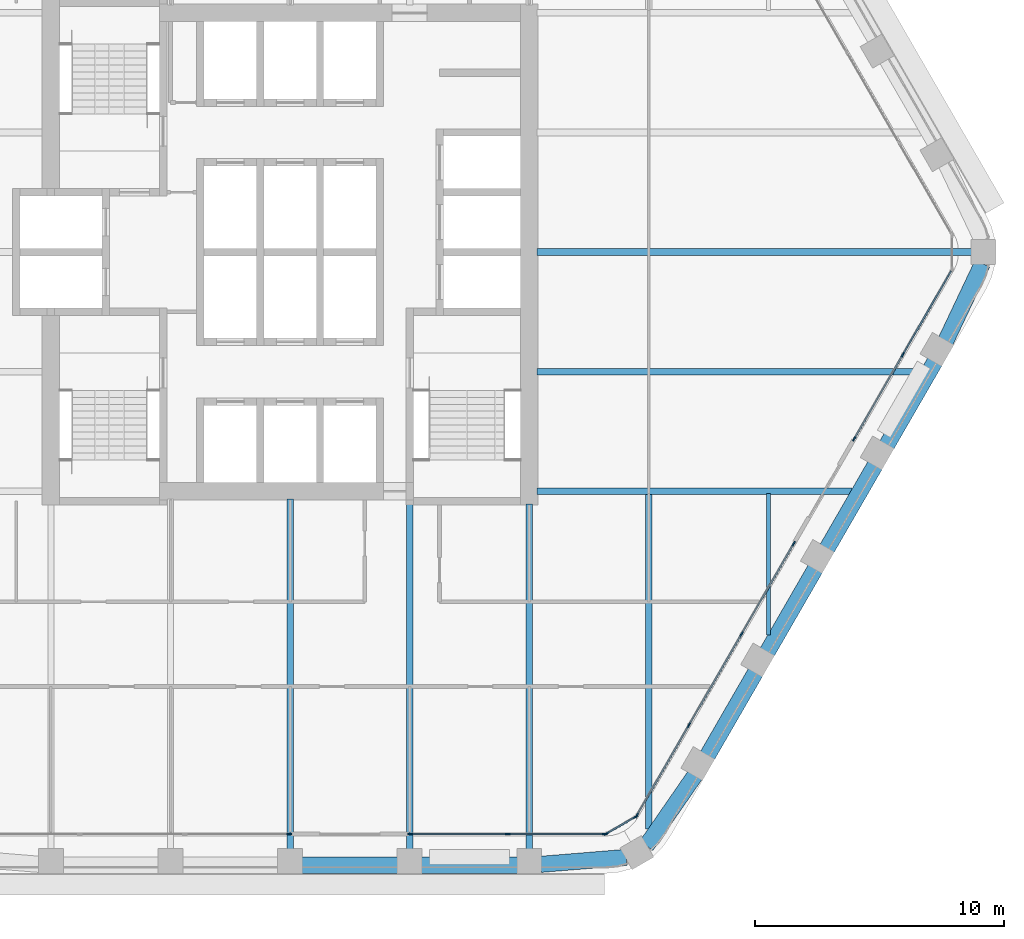
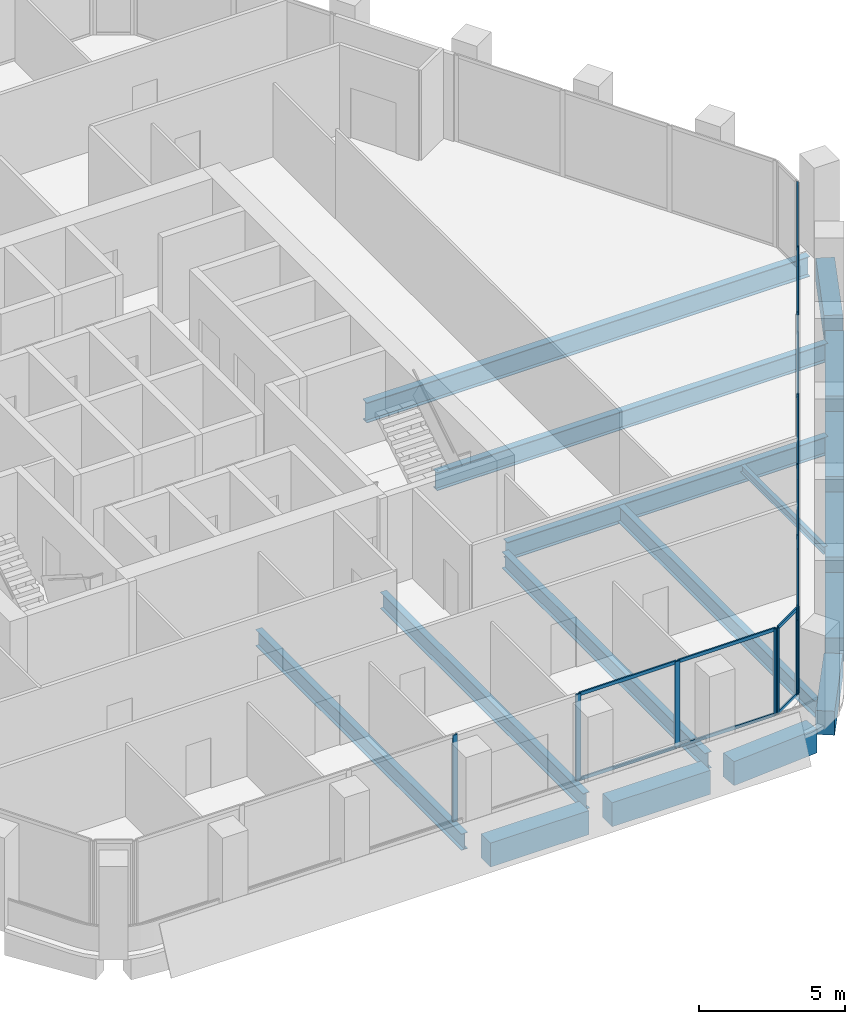
# One storey, part 4 of 16: 28 members, 17 beams, 5 elements without a shape of their own.
"""IFC4 building model written with IfcOpenShell, lengths in metres."""

import ifcopenshell
import ifcopenshell.guid

model = None  # the IFC model being written
_history = None  # IfcOwnerHistory: only IFC2X3 demands one
_inside = {}  # id of a spatial element -> (the spatial element, [elements in it])
_under = {}  # id of a project, library or spatial element -> (it, [spatial elements below it])
_declared = {}  # id of a project -> (the project, [libraries it declares])
_typed = {}  # id of a type object -> (the type object, [elements of that type])
_made_of = {}  # id of a material, layer set ... -> (it, [elements and type objects made of it])


def new_model(schema):
    """Start an empty IFC model of exactly this schema.

    Asked for "IFC4X3", IfcOpenShell would pick the latest addendum, in which some entities
    have other attributes; the version numbers below select the first issue.
    IFC2X3 requires an IfcOwnerHistory on every rooted entity: one is made here for all.
    """
    global model, _history
    if schema == "IFC4X3":
        model = ifcopenshell.file(schema_version=(4, 3, 0, 0))
    else:
        model = ifcopenshell.file(schema=schema)
    _inside.clear()
    _under.clear()
    _declared.clear()
    _typed.clear()
    _made_of.clear()
    _history = None
    if model.schema == "IFC2X3":
        org = make("IfcOrganization", Name="unknown")
        user = make(
            "IfcPersonAndOrganization",
            ThePerson=make("IfcPerson", FamilyName="unknown"),
            TheOrganization=org,
        )
        app = make(
            "IfcApplication",
            ApplicationDeveloper=org,
            Version="unknown",
            ApplicationFullName="unknown",
            ApplicationIdentifier="unknown",
        )
        _history = make(
            "IfcOwnerHistory",
            OwningUser=user,
            OwningApplication=app,
            ChangeAction="ADDED",
            CreationDate=0,
        )
    return model


def make(cls, **values):
    """One entity of the class cls with the attributes given. An attribute that is None is left unset."""
    return model.create_entity(
        cls, **{name: value for name, value in values.items() if value is not None}
    )


def rooted(cls, **values):
    """An entity with a GlobalId (a new one), such as an element, a storey or a relation."""
    return make(cls, GlobalId=ifcopenshell.guid.new(), OwnerHistory=_history, **values)


def si_unit(unit_type, name, prefix=None):
    """IfcSIUnit, for example si_unit("LENGTHUNIT", "METRE", prefix="MILLI")."""
    return make("IfcSIUnit", UnitType=unit_type, Prefix=prefix, Name=name)


def assignment(units):
    """IfcUnitAssignment: the units of a project."""
    return None if units is None else make("IfcUnitAssignment", Units=units)


def point(xyz):
    """IfcCartesianPoint."""
    return None if xyz is None else make("IfcCartesianPoint", Coordinates=xyz)


def direction(xyz):
    """IfcDirection."""
    return None if xyz is None else make("IfcDirection", DirectionRatios=xyz)


def frame(location, z_axis=None, x_axis=None):
    """IfcAxis2Placement3D, a coordinate frame: its origin and axes. An axis left out is left unset."""
    return make(
        "IfcAxis2Placement3D",
        Location=point(location),
        Axis=direction(z_axis),
        RefDirection=direction(x_axis),
    )


def frame_2d(location, x_axis=None):
    """IfcAxis2Placement2D, a coordinate frame in the plane: its origin and x axis."""
    return make(
        "IfcAxis2Placement2D", Location=point(location), RefDirection=direction(x_axis)
    )


def origin():
    """The frame at (0, 0, 0) with its axes left unset."""
    return frame((0.0, 0.0, 0.0))


def origin_2d():
    """The frame at (0, 0) in the plane with its x axis left unset."""
    return frame_2d((0.0, 0.0))


def place(relative_to, where):
    """IfcLocalPlacement: puts the frame where relative to a parent placement (None: the world)."""
    return make(
        "IfcLocalPlacement", PlacementRelTo=relative_to, RelativePlacement=where
    )


def context(
    kind, dimensions, precision=None, world=None, true_north=None, identifier=None
):
    """IfcGeometricRepresentationContext, for example the 3D "Model" context."""
    return make(
        "IfcGeometricRepresentationContext",
        ContextIdentifier=identifier,
        ContextType=kind,
        CoordinateSpaceDimension=dimensions,
        Precision=precision,
        WorldCoordinateSystem=world,
        TrueNorth=true_north,
    )


def subcontext(parent, identifier, kind, view, scale=None):
    """IfcGeometricRepresentationSubContext, for example "Body" below "Model"."""
    return make(
        "IfcGeometricRepresentationSubContext",
        ContextIdentifier=identifier,
        ContextType=kind,
        ParentContext=parent,
        TargetScale=scale,
        TargetView=view,
    )


def project(units=None, contexts=None):
    """IfcProject with its units and contexts."""
    return rooted(
        "IfcProject",
        Name="project",
        RepresentationContexts=contexts,
        UnitsInContext=assignment(units),
    )


def spatial(cls, under=None, at=None, **own):
    """A site, building, storey or space (cls), placed at a placement, below another one or the project."""
    s = rooted(cls, ObjectPlacement=at, **own)
    if under is not None:
        _under.setdefault(under.id(), (under, []))[1].append(s)
    return s


def profile(cls, at=None, kind="AREA", **sizes):
    """A parametric profile (cls). Its sizes go by their IFC names, for example OverallWidth=200.0."""
    return make(cls, ProfileType=kind, Position=at, **sizes)


def rectangle(**sizes):
    """IfcRectangleProfileDef."""
    return profile("IfcRectangleProfileDef", **sizes)


def i_section(**sizes):
    """IfcIShapeProfileDef."""
    return profile("IfcIShapeProfileDef", **sizes)


def extrude(swept, where, along, depth):
    """IfcExtrudedAreaSolid: the profile swept, set in the frame where, extruded along a direction by depth."""
    return make(
        "IfcExtrudedAreaSolid",
        SweptArea=swept,
        Position=where,
        ExtrudedDirection=direction(along),
        Depth=depth,
    )


def shape(context_of_items, identifier, shape_type, items):
    """IfcShapeRepresentation: the items that make up one representation, for example the "Body"."""
    return make(
        "IfcShapeRepresentation",
        ContextOfItems=context_of_items,
        RepresentationIdentifier=identifier,
        RepresentationType=shape_type,
        Items=items,
    )


def material(Name=None, Category=None):
    """IfcMaterial."""
    return make("IfcMaterial", Name=Name, Category=Category)


def material_profile(
    of_material, cross_section, Name=None, Category=None, Priority=None
):
    """IfcMaterialProfile: a cross section and its material."""
    return make(
        "IfcMaterialProfile",
        Name=Name,
        Material=of_material,
        Profile=cross_section,
        Priority=Priority,
        Category=Category,
    )


def profile_set(profiles, Name=None, composite=None):
    """IfcMaterialProfileSet."""
    return make(
        "IfcMaterialProfileSet",
        Name=Name,
        MaterialProfiles=profiles,
        CompositeProfile=composite,
    )


def made_of(thing, what):
    """Note that an element or type object is made of a material, layer set ...; save() writes the relation."""
    if what is not None:
        _made_of.setdefault(what.id(), (what, []))[1].append(thing)
    return thing


def type_object(cls, material=None, **own):
    """A type object (cls), such as IfcWallType, which elements share."""
    return made_of(rooted(cls, **own), material)


def element(
    cls,
    number,
    at=None,
    inside=None,
    cuts=None,
    type_object=None,
    material=None,
    context=None,
    identifier="Body",
    shape_type=None,
    held_by="IfcProductDefinitionShape",
    body=None,
    shapes=None,
    **own,
):
    """One element of the class cls, such as IfcWall. Its Tag is "e" and its number.

    at: its placement. inside: the storey or other place that contains it. cuts: it is an
    opening in that element (IfcRelVoidsElement). A single representation is given by context,
    identifier, shape_type and body (its items); several are given by shapes. held_by: the class
    of the entity that holds the representations. save() writes the other relations.
    """
    e = rooted(cls, Tag="e%d" % number, ObjectPlacement=at, **own)
    if body is not None:
        shapes = [shape(context, identifier, shape_type, body)]
    if shapes is not None:
        e.Representation = make(held_by, Representations=shapes)
    if inside is not None:
        _inside.setdefault(inside.id(), (inside, []))[1].append(e)
    if cuts is not None:
        rooted(
            "IfcRelVoidsElement", RelatingBuildingElement=cuts, RelatedOpeningElement=e
        )
    if type_object is not None:
        _typed.setdefault(type_object.id(), (type_object, []))[1].append(e)
    return made_of(e, material)


def aggregate(whole, parts):
    """IfcRelAggregates: a whole, such as a stair, and the parts it consists of."""
    return rooted("IfcRelAggregates", RelatingObject=whole, RelatedObjects=parts)


def save(model, path):
    """Write the relations noted so far, then the file.

    IfcRelAggregates (storeys below a building ...), IfcRelContainedInSpatialStructure (elements
    in a storey), IfcRelDefinesByType, IfcRelAssociatesMaterial and IfcRelDeclares: one each for
    every whole, place, type object, material and project.
    """
    for whole, parts in _under.values():
        aggregate(whole, parts)
    for where, things in _inside.values():
        rooted(
            "IfcRelContainedInSpatialStructure",
            RelatedElements=things,
            RelatingStructure=where,
        )
    for kind, things in _typed.values():
        rooted("IfcRelDefinesByType", RelatedObjects=things, RelatingType=kind)
    for what, things in _made_of.values():
        rooted("IfcRelAssociatesMaterial", RelatedObjects=things, RelatingMaterial=what)
    for by, libraries in _declared.values():
        rooted("IfcRelDeclares", RelatingContext=by, RelatedDefinitions=libraries)
    model.write(path)


model = new_model("IFC4")

# Units and contexts
model_context = context("Model", 3, precision=1e-05, world=origin(), true_north=direction((0.0, 1.0)))
body_context = subcontext(model_context, "Body", "Model", "MODEL_VIEW")
ifc_project = project(units=[si_unit("LENGTHUNIT", "METRE"), si_unit("AREAUNIT", "SQUARE_METRE"), si_unit("VOLUMEUNIT", "CUBIC_METRE"), si_unit("PLANEANGLEUNIT", "RADIAN"), si_unit("MASSUNIT", "GRAM", prefix="KILO")], contexts=[model_context])

# Site, building, storey
site_placement = place(None, origin())
site = spatial("IfcSite", under=ifc_project, at=site_placement, CompositionType="ELEMENT")
building_placement = place(site_placement, origin())
building = spatial("IfcBuilding", under=site, at=building_placement, Name="Kolab Exchange Tower", CompositionType="ELEMENT")
storey_placement = place(building_placement, frame((0.0, 0.0, 146.60009765625)))
storey = spatial("IfcBuildingStorey", under=building, at=storey_placement, Name="L29", CompositionType="ELEMENT", Elevation=146.60009765625)

# Beams
ifc_material_1 = material(Name="Steel S355", Category="steel")
ifc_material_profile_1 = material_profile(ifc_material_1, i_section(OverallWidth=0.1650390625, OverallDepth=0.31005859375, WebThickness=0.005859375, FlangeThickness=0.009765625, at=origin_2d()), Name="W310X39")
ifc_profile_set_1 = profile_set([ifc_material_profile_1], Name="Steel S355")
beam_type_1 = type_object("IfcBeamType", Name="FLOOR BEAM W310X39", PredefinedType="BEAM", material=ifc_profile_set_1)
beam_1_placement = place(storey_placement, frame((19.199951171875, -15.36767578125, -0.30517578125), z_axis=(0.0, 1.0, 0.0), x_axis=(-1.0, 0.0, 0.0)))
element("IfcBeam", 1, at=beam_1_placement, inside=storey, type_object=beam_type_1, Name="beam/L29/fr/022", PredefinedType="BEAM", context=body_context, shape_type="SweptSolid", body=[
    extrude(i_section(OverallWidth=0.1650390625, OverallDepth=0.31005859375, WebThickness=0.005859375, FlangeThickness=0.009765625, at=origin_2d()), origin(), (0.0, 0.0, 1.0), 5.674072265625),
])
ifc_material_profile_2 = material_profile(ifc_material_1, i_section(OverallWidth=0.25390625, OverallDepth=0.68408203125, WebThickness=0.012451171875, FlangeThickness=0.018798828125, at=origin_2d()), Name="W690X140")
ifc_profile_set_2 = profile_set([ifc_material_profile_2], Name="Steel S355")
beam_type_2 = type_object("IfcBeamType", Name="FLOOR BEAM W690X140", PredefinedType="BEAM", material=ifc_profile_set_2)
beam_2_placement = place(storey_placement, frame((0.0, -23.9814453125, -0.4921875), z_axis=(0.0, 1.0, 0.0), x_axis=(-1.0, 0.0, 0.0)))
element("IfcBeam", 2, at=beam_2_placement, inside=storey, type_object=beam_type_2, Name="beam/L29/fr/011", PredefinedType="BEAM", context=body_context, shape_type="SweptSolid", body=[
    extrude(i_section(OverallWidth=0.25390625, OverallDepth=0.68408203125, WebThickness=0.012451171875, FlangeThickness=0.018798828125, at=origin_2d()), origin(), (0.0, 0.0, 1.0), 14.071533203125),
])
for number, where, z_axis, x_axis, name in (
    (3, (4.800048828125, -23.9814453125, -0.4921875), (0.0, 1.0, 0.0), (-1.0, 0.0, 0.0), "beam/L29/fr/013"),
    (4, (9.60009765625, -23.9814453125, -0.4921875), (0.0, 1.0, 0.0), (-1.0, 0.0, 0.0), "beam/L29/fr/015"),
):
    element("IfcBeam", number, at=place(storey_placement, frame(where, z_axis=z_axis, x_axis=x_axis)), inside=storey, type_object=beam_type_2, Name=name, PredefinedType="BEAM", context=body_context, shape_type="SweptSolid", body=[
        extrude(i_section(OverallWidth=0.25390625, OverallDepth=0.68408203125, WebThickness=0.012451171875, FlangeThickness=0.018798828125, at=origin_2d()), origin(), (0.0, 0.0, 1.0), 13.871337890625),
    ])
beam_3_placement = place(storey_placement, frame((14.39990234375, -23.15576171875, -0.4921875), z_axis=(0.0, 1.0, 0.0), x_axis=(-1.0, 0.0, 0.0)))
element("IfcBeam", 5, at=beam_3_placement, inside=storey, type_object=beam_type_2, Name="beam/L29/fr/020", PredefinedType="BEAM", context=body_context, shape_type="SweptSolid", body=[
    extrude(i_section(OverallWidth=0.25390625, OverallDepth=0.68408203125, WebThickness=0.012451171875, FlangeThickness=0.018798828125, at=origin_2d()), origin(), (0.0, 0.0, 1.0), 13.462158203125),
])
ifc_material_profile_3 = material_profile(ifc_material_1, i_section(OverallWidth=0.26708984375, OverallDepth=0.761962890625, WebThickness=0.014404296875, FlangeThickness=0.021484375, at=origin_2d()), Name="W760X173")
ifc_profile_set_3 = profile_set([ifc_material_profile_3], Name="Steel S355")
beam_type_3 = type_object("IfcBeamType", Name="FLOOR BEAM W760X173", PredefinedType="BEAM", material=ifc_profile_set_3)
beam_4_placement = place(storey_placement, frame((9.909912109375, -4.800048828125, -0.531005859375), z_axis=(1.0, 0.0, 0.0), x_axis=(0.0, 1.0, 0.0)))
element("IfcBeam", 6, at=beam_4_placement, inside=storey, type_object=beam_type_3, Name="beam/L29/fr/017", PredefinedType="BEAM", context=body_context, shape_type="SweptSolid", body=[
    extrude(i_section(OverallWidth=0.26708984375, OverallDepth=0.761962890625, WebThickness=0.014404296875, FlangeThickness=0.021484375, at=origin_2d()), origin(), (0.0, 0.0, 1.0), 15.408203125),
])
ifc_material_profile_4 = material_profile(ifc_material_1, i_section(OverallWidth=0.2919921875, OverallDepth=0.840087890625, WebThickness=0.0146484375, FlangeThickness=0.021728515625, at=origin_2d()), Name="W840X193")
ifc_profile_set_4 = profile_set([ifc_material_profile_4], Name="Steel S355")
beam_type_4 = type_object("IfcBeamType", Name="FLOOR BEAM W840X193", PredefinedType="BEAM", material=ifc_profile_set_4)
beam_5_placement = place(storey_placement, frame((9.909912109375, 0.0, -0.570068359375), z_axis=(1.0, 0.0, 0.0), x_axis=(0.0, 1.0, 0.0)))
element("IfcBeam", 7, at=beam_5_placement, inside=storey, type_object=beam_type_4, Name="beam/L29/fr/018", PredefinedType="BEAM", context=body_context, shape_type="SweptSolid", body=[
    extrude(i_section(OverallWidth=0.2919921875, OverallDepth=0.840087890625, WebThickness=0.0146484375, FlangeThickness=0.021728515625, at=origin_2d()), origin(), (0.0, 0.0, 1.0), 17.466064453125),
])
ifc_material_profile_5 = material_profile(ifc_material_1, i_section(OverallWidth=0.26708984375, OverallDepth=0.761962890625, WebThickness=0.014404296875, FlangeThickness=0.021484375, at=origin_2d()), Name="W760X173")
ifc_profile_set_5 = profile_set([ifc_material_profile_5], Name="Steel S355")
beam_type_5 = type_object("IfcBeamType", Name="FLOOR GIRDER W760X173", PredefinedType="BEAM", material=ifc_profile_set_5)
beam_6_placement = place(storey_placement, frame((9.909912109375, -9.60009765625, -0.531005859375), z_axis=(1.0, 0.0, 0.0), x_axis=(0.0, 1.0, 0.0)))
element("IfcBeam", 8, at=beam_6_placement, inside=storey, type_object=beam_type_5, Name="beam/L29/gd/002", PredefinedType="BEAM", context=body_context, shape_type="SweptSolid", body=[
    extrude(i_section(OverallWidth=0.26708984375, OverallDepth=0.761962890625, WebThickness=0.014404296875, FlangeThickness=0.021484375, at=origin_2d()), origin(), (0.0, 0.0, 1.0), 12.636962890625),
])
ifc_material_2 = material(Name="Concrete C60/75", Category="concrete")
ifc_material_profile_6 = material_profile(ifc_material_2, rectangle(XDim=0.64990234375, YDim=1.0, at=origin_2d()), Name="RC650X1000")
ifc_profile_set_6 = profile_set([ifc_material_profile_6], Name="Concrete C60/75")
beam_type_6 = type_object("IfcBeamType", Name="SPANDREL BEAM 650X1000 C60/75", PredefinedType="BEAM", material=ifc_profile_set_6)
beam_7_placement = place(storey_placement, frame((27.791259765625, -0.4638671875, -0.650146484375), z_axis=(-0.428177731975, -0.903694544545, 0.0), x_axis=(0.903694544545, -0.428177731975, 0.0)))
element("IfcBeam", 9, at=beam_7_placement, inside=storey, type_object=beam_type_6, Name="beam/L29/sp/F3-01", PredefinedType="BEAM", context=body_context, shape_type="SweptSolid", body=[
    extrude(rectangle(XDim=0.64990234375, YDim=1.0, at=origin_2d()), origin(), (0.0, 0.0, 1.0), 3.445068359375),
])
for number, where, z_axis, x_axis, name in (
    (10, (25.888427734375, -4.392822265625, -0.650146484375), (-0.499996613652, -0.866027358884, 0.0), (0.866027358884, -0.499996613652, 0.0), "beam/L29/sp/F3-02"),
    (11, (23.488525390625, -8.5498046875, -0.650146484375), (-0.499996613652, -0.866027358884, 0.0), (0.866027358884, -0.499996613652, 0.0), "beam/L29/sp/F3-03"),
):
    element("IfcBeam", number, at=place(storey_placement, frame(where, z_axis=z_axis, x_axis=x_axis)), inside=storey, type_object=beam_type_6, Name=name, PredefinedType="BEAM", context=body_context, shape_type="SweptSolid", body=[
        extrude(rectangle(XDim=0.64990234375, YDim=1.0, at=origin_2d()), origin(), (0.0, 0.0, 1.0), 3.8798828125),
    ])
beam_8_placement = place(storey_placement, frame((21.088623046875, -12.70654296875, -0.650146484375), z_axis=(-0.50001655835, -0.866015843605, 0.0), x_axis=(0.866015843605, -0.50001655835, 0.0)))
element("IfcBeam", 12, at=beam_8_placement, inside=storey, type_object=beam_type_6, Name="beam/L29/sp/F3-04", PredefinedType="BEAM", context=body_context, shape_type="SweptSolid", body=[
    extrude(rectangle(XDim=0.64990234375, YDim=1.0, at=origin_2d()), origin(), (0.0, 0.0, 1.0), 3.880126953125),
])
beam_9_placement = place(storey_placement, frame((18.6884765625, -16.863525390625, -0.650146484375), z_axis=(-0.499996613652, -0.866027358884, 0.0), x_axis=(0.866027358884, -0.499996613652, 0.0)))
element("IfcBeam", 13, at=beam_9_placement, inside=storey, type_object=beam_type_6, Name="beam/L29/sp/F3-05", PredefinedType="BEAM", context=body_context, shape_type="SweptSolid", body=[
    extrude(rectangle(XDim=0.64990234375, YDim=1.0, at=origin_2d()), origin(), (0.0, 0.0, 1.0), 3.8798828125),
])
for number, where, z_axis, x_axis, name in (
    (14, (16.256103515625, -21.001953125, -0.650146484375), (-0.568572281073, -0.822633309073, 0.0), (0.822633309073, -0.568572281073, 0.0), "beam/L29/sp/F3-06"),
    (15, (13.493896484375, -24.2998046875, -0.650146484375), (-0.996708497182, -0.081068931445, 0.0), (0.081068931445, -0.996708497182, 0.0), "beam/L29/sp/F4-01"),
):
    element("IfcBeam", number, at=place(storey_placement, frame(where, z_axis=z_axis, x_axis=x_axis)), inside=storey, type_object=beam_type_6, Name=name, PredefinedType="BEAM", context=body_context, shape_type="SweptSolid", body=[
        extrude(rectangle(XDim=0.64990234375, YDim=1.0, at=origin_2d()), origin(), (0.0, 0.0, 1.0), 3.445068359375),
    ])
beam_10_placement = place(storey_placement, frame((9.139892578125, -24.616455078125, -0.650146484375), z_axis=(-1.0, 0.0, 0.0), x_axis=(0.0, -1.0, 0.0)))
element("IfcBeam", 16, at=beam_10_placement, inside=storey, type_object=beam_type_6, Name="beam/L29/sp/F4-02", PredefinedType="BEAM", context=body_context, shape_type="SweptSolid", body=[
    extrude(rectangle(XDim=0.64990234375, YDim=1.0, at=origin_2d()), origin(), (0.0, 0.0, 1.0), 3.8798828125),
])
beam_11_placement = place(storey_placement, frame((4.340087890625, -24.616455078125, -0.650146484375), z_axis=(-1.0, 0.0, 0.0), x_axis=(0.0, -1.0, 0.0)))
element("IfcBeam", 17, at=beam_11_placement, inside=storey, type_object=beam_type_6, Name="beam/L29/sp/F4-03", PredefinedType="BEAM", context=body_context, shape_type="SweptSolid", body=[
    extrude(rectangle(XDim=0.64990234375, YDim=1.0, at=origin_2d()), origin(), (0.0, 0.0, 1.0), 3.880126953125),
])

# Curtain wall, members
ifc_material_3 = material(Name="Aluminium EN AW-6063 T6", Category="aluminium")
curtain_wall_type = type_object("IfcCurtainWallType", Name="UNITISED UPPER MID ZONE CURTAIN WALL", PredefinedType="NOTDEFINED", material=ifc_material_3)
curtain_wall_1_placement = place(storey_placement, origin())
curtain_wall_1 = element("IfcCurtainWall", 18, at=curtain_wall_1_placement, inside=storey, type_object=curtain_wall_type, Name="cw/L29/F3-1", PredefinedType="NOTDEFINED")
ifc_material_profile_7 = material_profile(ifc_material_3, rectangle(XDim=0.06005859375, YDim=0.199951171875, at=origin_2d()), Name="RECT 60X200")
ifc_profile_set_7 = profile_set([ifc_material_profile_7], Name="Aluminium EN AW-6063 T6")
member_type_1 = type_object("IfcMemberType", Name="UNITISED UPPER MID ZONE MULLION 60 X 200", PredefinedType="MULLION", material=ifc_profile_set_7)
member_1_placement = place(storey_placement, frame((24.5986328125, -4.116943359375, 0.0), z_axis=(0.0, 0.0, 1.0), x_axis=(0.866025440524, -0.499999936366, 0.0)))
member_1 = element("IfcMember", 19, at=member_1_placement, type_object=member_type_1, Name="CW3 mullion 2", PredefinedType="MULLION", context=body_context, shape_type="SweptSolid", body=[
    extrude(rectangle(XDim=0.06005859375, YDim=0.199951171875, at=origin_2d()), origin(), (0.0, 0.0, 1.0), 3.599853515625),
])
member_2_placement = place(storey_placement, frame((22.646728515625, -7.497802734375, 0.0), z_axis=(0.0, 0.0, 1.0), x_axis=(0.866025440524, -0.499999936366, 0.0)))
member_2 = element("IfcMember", 20, at=member_2_placement, type_object=member_type_1, Name="CW3 mullion 3", PredefinedType="MULLION", context=body_context, shape_type="SweptSolid", body=[
    extrude(rectangle(XDim=0.06005859375, YDim=0.199951171875, at=origin_2d()), origin(), (0.0, 0.0, 1.0), 3.599853515625),
])

curtain_wall_2_placement = place(storey_placement, origin())
curtain_wall_2 = element("IfcCurtainWall", 21, at=curtain_wall_2_placement, inside=storey, type_object=curtain_wall_type, Name="cw/L29/F3-2", PredefinedType="NOTDEFINED")
member_3_placement = place(storey_placement, frame((20.216796875, -11.706787109375, 0.0), z_axis=(0.0, 0.0, 1.0), x_axis=(0.866025393644, -0.500000017564, 0.0)))
member_3 = element("IfcMember", 22, at=member_3_placement, type_object=member_type_1, Name="CW3 mullion 1", PredefinedType="MULLION", context=body_context, shape_type="SweptSolid", body=[
    extrude(rectangle(XDim=0.06005859375, YDim=0.199951171875, at=origin_2d()), origin(), (0.0, 0.0, 1.0), 3.599853515625),
])
member_4_placement = place(storey_placement, frame((18.120361328125, -15.337646484375, 0.0), z_axis=(0.0, 0.0, 1.0), x_axis=(0.866025393644, -0.500000017564, 0.0)))
member_4 = element("IfcMember", 23, at=member_4_placement, type_object=member_type_1, Name="CW3 mullion 2", PredefinedType="MULLION", context=body_context, shape_type="SweptSolid", body=[
    extrude(rectangle(XDim=0.06005859375, YDim=0.199951171875, at=origin_2d()), origin(), (0.0, 0.0, 1.0), 3.599853515625),
])
member_5_placement = place(storey_placement, frame((16.009033203125, -18.99462890625, 0.0), z_axis=(0.0, 0.0, 1.0), x_axis=(0.866025393644, -0.500000017564, 0.0)))
member_5 = element("IfcMember", 24, at=member_5_placement, type_object=member_type_1, Name="CW3 mullion 3", PredefinedType="MULLION", context=body_context, shape_type="SweptSolid", body=[
    extrude(rectangle(XDim=0.06005859375, YDim=0.199951171875, at=origin_2d()), origin(), (0.0, 0.0, 1.0), 3.599853515625),
])
member_6_placement = place(storey_placement, frame((13.91259765625, -22.62548828125, 0.0), z_axis=(0.0, 0.0, 1.0), x_axis=(0.866025393644, -0.500000017564, 0.0)))
member_6 = element("IfcMember", 25, at=member_6_placement, type_object=member_type_1, Name="CW3 mullion 4", PredefinedType="MULLION", context=body_context, shape_type="SweptSolid", body=[
    extrude(rectangle(XDim=0.06005859375, YDim=0.199951171875, at=origin_2d()), origin(), (0.0, 0.0, 1.0), 3.599853515625),
])

curtain_wall_3_placement = place(storey_placement, origin())
curtain_wall_3 = element("IfcCurtainWall", 26, at=curtain_wall_3_placement, inside=storey, type_object=curtain_wall_type, Name="cw/L29/F4-1", PredefinedType="NOTDEFINED")
member_7_placement = place(storey_placement, frame((12.637939453125, -23.361572265625, 0.0), z_axis=(0.0, 0.0, 1.0), x_axis=(0.0, -1.0, 0.0)))
member_7 = element("IfcMember", 27, at=member_7_placement, type_object=member_type_1, Name="CW3 mullion 1", PredefinedType="MULLION", context=body_context, shape_type="SweptSolid", body=[
    extrude(rectangle(XDim=0.06005859375, YDim=0.199951171875, at=origin_2d()), origin(), (0.0, 0.0, 1.0), 3.599853515625),
])
member_8_placement = place(storey_placement, frame((8.73388671875, -23.361572265625, 0.0), z_axis=(0.0, 0.0, 1.0), x_axis=(0.0, -1.0, 0.0)))
member_8 = element("IfcMember", 28, at=member_8_placement, type_object=member_type_1, Name="CW3 mullion 2", PredefinedType="MULLION", context=body_context, shape_type="SweptSolid", body=[
    extrude(rectangle(XDim=0.06005859375, YDim=0.199951171875, at=origin_2d()), origin(), (0.0, 0.0, 1.0), 3.599853515625),
])
member_9_placement = place(storey_placement, frame((4.830078125, -23.361572265625, 0.0), z_axis=(0.0, 0.0, 1.0), x_axis=(0.0, -1.0, 0.0)))
member_9 = element("IfcMember", 29, at=member_9_placement, type_object=member_type_1, Name="CW3 mullion 3", PredefinedType="MULLION", context=body_context, shape_type="SweptSolid", body=[
    extrude(rectangle(XDim=0.06005859375, YDim=0.199951171875, at=origin_2d()), origin(), (0.0, 0.0, 1.0), 3.599853515625),
])

# Curtain wall, member
curtain_wall_4_placement = place(storey_placement, origin())
curtain_wall_4 = element("IfcCurtainWall", 30, at=curtain_wall_4_placement, inside=storey, type_object=curtain_wall_type, Name="cw/L29/F4-2", PredefinedType="NOTDEFINED")
member_10_placement = place(storey_placement, frame((-0.030029296875, -23.361572265625, 0.0), z_axis=(0.0, 0.0, 1.0), x_axis=(0.0, -1.0, 0.0)))
member_10 = element("IfcMember", 31, at=member_10_placement, type_object=member_type_1, Name="CW3 mullion 1", PredefinedType="MULLION", context=body_context, shape_type="SweptSolid", body=[
    extrude(rectangle(XDim=0.06005859375, YDim=0.199951171875, at=origin_2d()), origin(), (0.0, 0.0, 1.0), 3.599853515625),
])
aggregate(curtain_wall_4, [member_10])

# Curtain wall, members
curtain_wall_5_placement = place(storey_placement, origin())
curtain_wall_5 = element("IfcCurtainWall", 32, at=curtain_wall_5_placement, inside=storey, type_object=curtain_wall_type, Name="cw/L29/F3F4-corner", PredefinedType="NOTDEFINED")
member_11_placement = place(storey_placement, frame((13.871826171875, -22.66650390625, 0.0), z_axis=(0.0, 0.0, 1.0), x_axis=(0.50000002237, -0.866025390869, 0.0)))
member_11 = element("IfcMember", 33, at=member_11_placement, type_object=member_type_1, Name="CW3 mullion 1", PredefinedType="MULLION", context=body_context, shape_type="SweptSolid", body=[
    extrude(rectangle(XDim=0.06005859375, YDim=0.199951171875, at=origin_2d()), origin(), (0.0, 0.0, 1.0), 3.599853515625),
])
member_12_placement = place(storey_placement, frame((12.69384765625, -23.346435546875, 0.0), z_axis=(0.0, 0.0, 1.0), x_axis=(0.50000002237, -0.866025390869, 0.0)))
member_12 = element("IfcMember", 34, at=member_12_placement, type_object=member_type_1, Name="CW3 mullion 2", PredefinedType="MULLION", context=body_context, shape_type="SweptSolid", body=[
    extrude(rectangle(XDim=0.06005859375, YDim=0.199951171875, at=origin_2d()), origin(), (0.0, 0.0, 1.0), 3.599853515625),
])

# Member
ifc_material_profile_8 = material_profile(ifc_material_3, rectangle(XDim=0.06005859375, YDim=0.139892578125, at=origin_2d()), Name="RECT 60X140")
ifc_profile_set_8 = profile_set([ifc_material_profile_8], Name="Aluminium EN AW-6063 T6")
member_type_2 = type_object("IfcMemberType", Name="UNITISED UPPER MID ZONE TRANSOM 60 X 140", PredefinedType="USERDEFINED", material=ifc_profile_set_8)
member_13_placement = place(storey_placement, frame((26.53564453125, -0.761962890625, 0.02978515625), z_axis=(-0.499991857942, -0.866030104553, 0.0), x_axis=(0.866030104553, -0.499991857942, 0.0)))
member_13 = element("IfcMember", 35, at=member_13_placement, type_object=member_type_2, Name="CW3 transom 1.1", ObjectType="TRANSOM", PredefinedType="USERDEFINED", context=body_context, shape_type="SweptSolid", body=[
    extrude(rectangle(XDim=0.06005859375, YDim=0.139892578125, at=origin_2d()), origin(), (0.0, 0.0, 1.0), 3.84375),
])

member_14_placement = place(storey_placement, frame((26.53564453125, -0.761962890625, 3.56982421875), z_axis=(-0.499991857942, -0.866030104553, 0.0), x_axis=(0.866030104553, -0.499991857942, 0.0)))
member_14 = element("IfcMember", 36, at=member_14_placement, type_object=member_type_2, Name="CW3 transom 1.2", ObjectType="TRANSOM", PredefinedType="USERDEFINED", context=body_context, shape_type="SweptSolid", body=[
    extrude(rectangle(XDim=0.06005859375, YDim=0.139892578125, at=origin_2d()), origin(), (0.0, 0.0, 1.0), 3.84375),
])

member_15_placement = place(storey_placement, frame((24.583740234375, -4.142822265625, 0.02978515625), z_axis=(-0.500011990396, -0.866018481016, 0.0), x_axis=(0.866018481016, -0.500011990396, 0.0)))
member_15 = element("IfcMember", 37, at=member_15_placement, type_object=member_type_2, Name="CW3 transom 2.1", ObjectType="TRANSOM", PredefinedType="USERDEFINED", context=body_context, shape_type="SweptSolid", body=[
    extrude(rectangle(XDim=0.06005859375, YDim=0.139892578125, at=origin_2d()), origin(), (0.0, 0.0, 1.0), 3.84423828125),
])

member_16_placement = place(storey_placement, frame((24.583740234375, -4.142822265625, 3.56982421875), z_axis=(-0.500011990396, -0.866018481016, 0.0), x_axis=(0.866018481016, -0.500011990396, 0.0)))
member_16 = element("IfcMember", 38, at=member_16_placement, type_object=member_type_2, Name="CW3 transom 2.2", ObjectType="TRANSOM", PredefinedType="USERDEFINED", context=body_context, shape_type="SweptSolid", body=[
    extrude(rectangle(XDim=0.06005859375, YDim=0.139892578125, at=origin_2d()), origin(), (0.0, 0.0, 1.0), 3.84423828125),
])

aggregate(curtain_wall_1, [member_1, member_2, member_13, member_14, member_15, member_16])

member_17_placement = place(storey_placement, frame((20.20166015625, -11.732666015625, 0.02978515625), z_axis=(-0.500001996123, -0.866024251319, 0.0), x_axis=(0.866024251319, -0.500001996123, 0.0)))
member_17 = element("IfcMember", 39, at=member_17_placement, type_object=member_type_2, Name="CW3 transom 1.1", ObjectType="TRANSOM", PredefinedType="USERDEFINED", context=body_context, shape_type="SweptSolid", body=[
    extrude(rectangle(XDim=0.06005859375, YDim=0.139892578125, at=origin_2d()), origin(), (0.0, 0.0, 1.0), 4.1328125),
])

member_18_placement = place(storey_placement, frame((20.20166015625, -11.732666015625, 3.56982421875), z_axis=(-0.500001996123, -0.866024251319, 0.0), x_axis=(0.866024251319, -0.500001996123, 0.0)))
member_18 = element("IfcMember", 40, at=member_18_placement, type_object=member_type_2, Name="CW3 transom 1.2", ObjectType="TRANSOM", PredefinedType="USERDEFINED", context=body_context, shape_type="SweptSolid", body=[
    extrude(rectangle(XDim=0.06005859375, YDim=0.139892578125, at=origin_2d()), origin(), (0.0, 0.0, 1.0), 4.1328125),
])

member_19_placement = place(storey_placement, frame((18.10546875, -15.36376953125, 0.02978515625), z_axis=(-0.500037208726, -0.86600392025, 0.0), x_axis=(0.86600392025, -0.500037208726, 0.0)))
member_19 = element("IfcMember", 41, at=member_19_placement, type_object=member_type_2, Name="CW3 transom 2.1", ObjectType="TRANSOM", PredefinedType="USERDEFINED", context=body_context, shape_type="SweptSolid", body=[
    extrude(rectangle(XDim=0.06005859375, YDim=0.139892578125, at=origin_2d()), origin(), (0.0, 0.0, 1.0), 4.162841796875),
])

member_20_placement = place(storey_placement, frame((18.10546875, -15.36376953125, 3.56982421875), z_axis=(-0.500037208726, -0.86600392025, 0.0), x_axis=(0.86600392025, -0.500037208726, 0.0)))
member_20 = element("IfcMember", 42, at=member_20_placement, type_object=member_type_2, Name="CW3 transom 2.2", ObjectType="TRANSOM", PredefinedType="USERDEFINED", context=body_context, shape_type="SweptSolid", body=[
    extrude(rectangle(XDim=0.06005859375, YDim=0.139892578125, at=origin_2d()), origin(), (0.0, 0.0, 1.0), 4.162841796875),
])

member_21_placement = place(storey_placement, frame((15.994140625, -19.0205078125, 0.02978515625), z_axis=(-0.500001996123, -0.866024251319, 0.0), x_axis=(0.866024251319, -0.500001996123, 0.0)))
member_21 = element("IfcMember", 43, at=member_21_placement, type_object=member_type_2, Name="CW3 transom 3.1", ObjectType="TRANSOM", PredefinedType="USERDEFINED", context=body_context, shape_type="SweptSolid", body=[
    extrude(rectangle(XDim=0.06005859375, YDim=0.139892578125, at=origin_2d()), origin(), (0.0, 0.0, 1.0), 4.1328125),
])

member_22_placement = place(storey_placement, frame((15.994140625, -19.0205078125, 3.56982421875), z_axis=(-0.500001996123, -0.866024251319, 0.0), x_axis=(0.866024251319, -0.500001996123, 0.0)))
member_22 = element("IfcMember", 44, at=member_22_placement, type_object=member_type_2, Name="CW3 transom 3.2", ObjectType="TRANSOM", PredefinedType="USERDEFINED", context=body_context, shape_type="SweptSolid", body=[
    extrude(rectangle(XDim=0.06005859375, YDim=0.139892578125, at=origin_2d()), origin(), (0.0, 0.0, 1.0), 4.1328125),
])

aggregate(curtain_wall_2, [member_3, member_4, member_5, member_6, member_17, member_18, member_19, member_20, member_21, member_22])

member_23_placement = place(storey_placement, frame((12.60791015625, -23.361572265625, 0.02978515625), z_axis=(-1.0, 0.0, 0.0), x_axis=(0.0, -1.0, 0.0)))
member_23 = element("IfcMember", 45, at=member_23_placement, type_object=member_type_2, Name="CW3 transom 1.1", ObjectType="TRANSOM", PredefinedType="USERDEFINED", context=body_context, shape_type="SweptSolid", body=[
    extrude(rectangle(XDim=0.06005859375, YDim=0.139892578125, at=origin_2d()), origin(), (0.0, 0.0, 1.0), 3.843994140625),
])

member_24_placement = place(storey_placement, frame((12.60791015625, -23.361572265625, 3.56982421875), z_axis=(-1.0, 0.0, 0.0), x_axis=(0.0, -1.0, 0.0)))
member_24 = element("IfcMember", 46, at=member_24_placement, type_object=member_type_2, Name="CW3 transom 1.2", ObjectType="TRANSOM", PredefinedType="USERDEFINED", context=body_context, shape_type="SweptSolid", body=[
    extrude(rectangle(XDim=0.06005859375, YDim=0.139892578125, at=origin_2d()), origin(), (0.0, 0.0, 1.0), 3.843994140625),
])

member_25_placement = place(storey_placement, frame((8.703857421875, -23.361572265625, 0.02978515625), z_axis=(-1.0, 0.0, 0.0), x_axis=(0.0, -1.0, 0.0)))
member_25 = element("IfcMember", 47, at=member_25_placement, type_object=member_type_2, Name="CW3 transom 2.1", ObjectType="TRANSOM", PredefinedType="USERDEFINED", context=body_context, shape_type="SweptSolid", body=[
    extrude(rectangle(XDim=0.06005859375, YDim=0.139892578125, at=origin_2d()), origin(), (0.0, 0.0, 1.0), 3.84375),
])

member_26_placement = place(storey_placement, frame((8.703857421875, -23.361572265625, 3.56982421875), z_axis=(-1.0, 0.0, 0.0), x_axis=(0.0, -1.0, 0.0)))
member_26 = element("IfcMember", 48, at=member_26_placement, type_object=member_type_2, Name="CW3 transom 2.2", ObjectType="TRANSOM", PredefinedType="USERDEFINED", context=body_context, shape_type="SweptSolid", body=[
    extrude(rectangle(XDim=0.06005859375, YDim=0.139892578125, at=origin_2d()), origin(), (0.0, 0.0, 1.0), 3.84375),
])

aggregate(curtain_wall_3, [member_7, member_8, member_9, member_23, member_24, member_25, member_26])

member_27_placement = place(storey_placement, frame((13.845703125, -22.681640625, 0.02978515625), z_axis=(-0.86603858612, -0.49997716683, 0.0), x_axis=(0.49997716683, -0.86603858612, 0.0)))
member_27 = element("IfcMember", 49, at=member_27_placement, type_object=member_type_2, Name="CW3 transom 1.1", ObjectType="TRANSOM", PredefinedType="USERDEFINED", context=body_context, shape_type="SweptSolid", body=[
    extrude(rectangle(XDim=0.06005859375, YDim=0.139892578125, at=origin_2d()), origin(), (0.0, 0.0, 1.0), 1.2998046875),
])

member_28_placement = place(storey_placement, frame((13.845703125, -22.681640625, 3.56982421875), z_axis=(-0.86603858612, -0.49997716683, 0.0), x_axis=(0.49997716683, -0.86603858612, 0.0)))
member_28 = element("IfcMember", 50, at=member_28_placement, type_object=member_type_2, Name="CW3 transom 1.2", ObjectType="TRANSOM", PredefinedType="USERDEFINED", context=body_context, shape_type="SweptSolid", body=[
    extrude(rectangle(XDim=0.06005859375, YDim=0.139892578125, at=origin_2d()), origin(), (0.0, 0.0, 1.0), 1.2998046875),
])

aggregate(curtain_wall_5, [member_11, member_12, member_27, member_28])

save(model, "model.ifc")
